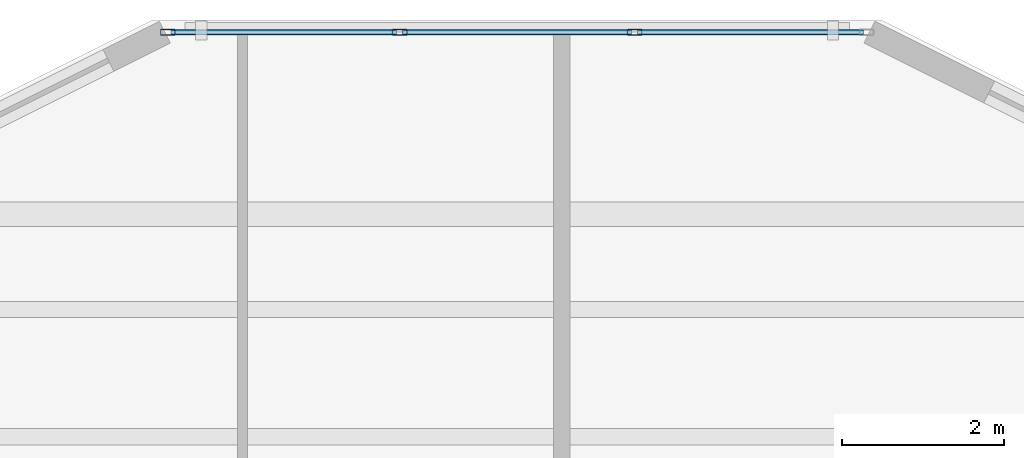
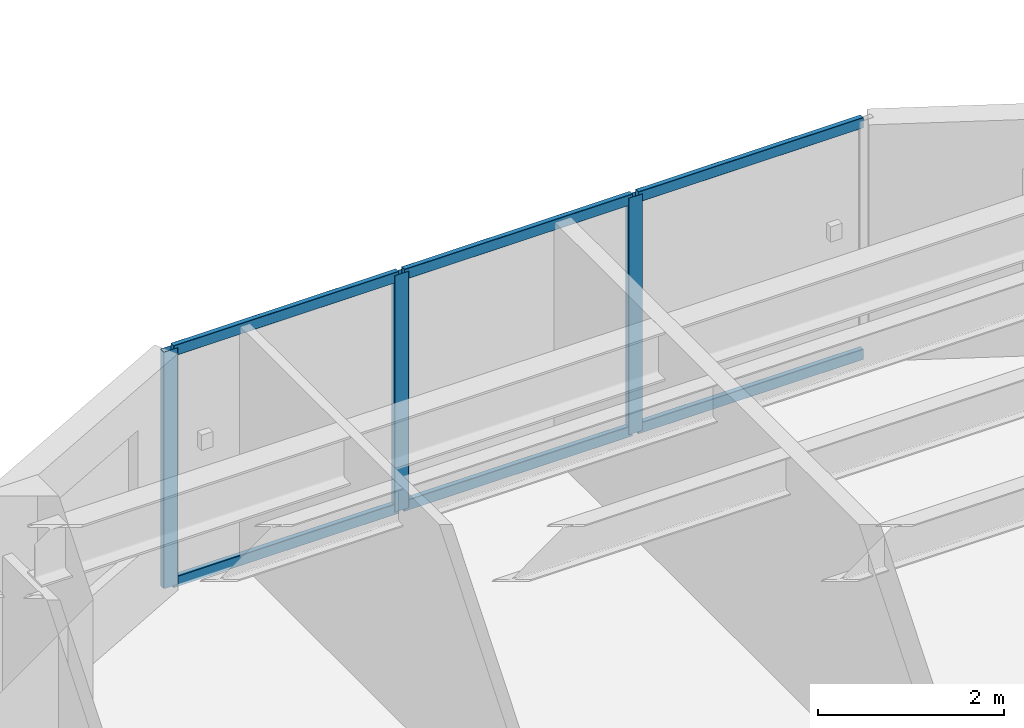
# One storey, part 6 of 20: 9 members, 1 element without a shape of its own.
"""IFC4 building model written with IfcOpenShell, lengths in metres."""

from ifc_helpers import new_model, si_unit, direction, frame, origin, origin_2d, place, context, subcontext, project, spatial, hollow_rectangle, extrude, material, layer, layer_set, material_profile, profile_set, type_object, element, aggregate, save


model = new_model("IFC4")

# Units and contexts
model_context = context("Model", 3, precision=1e-05, world=origin(), true_north=direction((0.0, 1.0)))
body_context = subcontext(model_context, "Body", "Model", "MODEL_VIEW")
ifc_project = project(units=[si_unit("LENGTHUNIT", "METRE"), si_unit("AREAUNIT", "SQUARE_METRE"), si_unit("VOLUMEUNIT", "CUBIC_METRE"), si_unit("PLANEANGLEUNIT", "RADIAN"), si_unit("MASSUNIT", "GRAM", prefix="KILO")], contexts=[model_context])

# Site, building, storey
site_placement = place(None, origin())
site = spatial("IfcSite", under=ifc_project, at=site_placement, CompositionType="ELEMENT")
building_placement = place(site_placement, origin())
building = spatial("IfcBuilding", under=site, at=building_placement, Name="Tarnavaz Court Tower", CompositionType="ELEMENT")
storey_placement = place(building_placement, frame((0.0, 0.0, 30.699951171875)))
storey = spatial("IfcBuildingStorey", under=building, at=storey_placement, Name="L07", CompositionType="ELEMENT", Elevation=30.699951171875)

# Curtain wall, members
ifc_material_1 = material(Name="Anodised Aluminium 6063-T6 and Solar Low-E Glazing", Category="aluminium")
ifc_layer = layer(ifc_material_1, 0.179931640625)
ifc_layer_set = layer_set([ifc_layer], Name="Anodised Aluminium 6063-T6 and Solar Low-E Glazing")
curtain_wall_type = type_object("IfcCurtainWallType", Name="CW-SYS-02", PredefinedType="NOTDEFINED", material=ifc_layer_set)
curtain_wall_placement = place(storey_placement, origin())
curtain_wall = element("IfcCurtainWall", 1, at=curtain_wall_placement, inside=storey, type_object=curtain_wall_type, Name="L07 Iwan Prow Curtain Wall 7", PredefinedType="NOTDEFINED")
ifc_material_2 = material(Name="Anodised Aluminium 6063-T6", Category="aluminium")
ifc_material_profile_1 = material_profile(ifc_material_2, hollow_rectangle(XDim=0.074951171875, YDim=0.179931640625, WallThickness=0.0048828125, InnerFilletRadius=0.0048828125, OuterFilletRadius=0.010009765625, at=origin_2d()), Name="ALU RHS 180X75X5")
ifc_profile_set_1 = profile_set([ifc_material_profile_1], Name="Anodised Aluminium 6063-T6")
member_type_1 = type_object("IfcMemberType", Name="CW-MUL-180", PredefinedType="MULLION", material=ifc_profile_set_1)
member_1_placement = place(storey_placement, frame((-4.3125, 25.050048828125, 0.0), z_axis=(0.0, 0.0, 1.0), x_axis=(0.0, 1.0, 0.0)))
member_1 = element("IfcMember", 2, at=member_1_placement, type_object=member_type_1, Name="CW mullion 1", PredefinedType="MULLION", context=body_context, shape_type="SweptSolid", body=[
    extrude(hollow_rectangle(XDim=0.074951171875, YDim=0.179931640625, WallThickness=0.0048828125, InnerFilletRadius=0.0048828125, OuterFilletRadius=0.010009765625, at=origin_2d()), origin(), (0.0, 0.0, 1.0), 3.10009765625),
])
member_2_placement = place(storey_placement, frame((-1.449951171875, 25.050048828125, 0.0), z_axis=(0.0, 0.0, 1.0), x_axis=(0.0, 1.0, 0.0)))
member_2 = element("IfcMember", 3, at=member_2_placement, type_object=member_type_1, Name="CW mullion 2", PredefinedType="MULLION", context=body_context, shape_type="SweptSolid", body=[
    extrude(hollow_rectangle(XDim=0.074951171875, YDim=0.179931640625, WallThickness=0.0048828125, InnerFilletRadius=0.0048828125, OuterFilletRadius=0.010009765625, at=origin_2d()), origin(), (0.0, 0.0, 1.0), 3.10009765625),
])
member_3_placement = place(storey_placement, frame((1.449951171875, 25.050048828125, 0.0), z_axis=(0.0, 0.0, 1.0), x_axis=(0.0, 1.0, 0.0)))
member_3 = element("IfcMember", 4, at=member_3_placement, type_object=member_type_1, Name="CW mullion 3", PredefinedType="MULLION", context=body_context, shape_type="SweptSolid", body=[
    extrude(hollow_rectangle(XDim=0.074951171875, YDim=0.179931640625, WallThickness=0.0048828125, InnerFilletRadius=0.0048828125, OuterFilletRadius=0.010009765625, at=origin_2d()), origin(), (0.0, 0.0, 1.0), 3.10009765625),
])
ifc_material_profile_2 = material_profile(ifc_material_2, hollow_rectangle(XDim=0.06494140625, YDim=0.139892578125, WallThickness=0.00390625, InnerFilletRadius=0.00390625, OuterFilletRadius=0.008056640625, at=origin_2d()), Name="ALU RHS 140X65X4")
ifc_profile_set_2 = profile_set([ifc_material_profile_2], Name="Anodised Aluminium 6063-T6")
member_type_2 = type_object("IfcMemberType", Name="CW-TRN-140", PredefinedType="USERDEFINED", material=ifc_profile_set_2)
member_4_placement = place(storey_placement, frame((-4.27490234375, 25.050048828125, 0.032470703125), z_axis=(1.0, 0.0, 0.0), x_axis=(0.0, 1.0, 0.0)))
member_4 = element("IfcMember", 5, at=member_4_placement, type_object=member_type_2, Name="CW transom 1.1", ObjectType="TRANSOM", PredefinedType="USERDEFINED", context=body_context, shape_type="SweptSolid", body=[
    extrude(hollow_rectangle(XDim=0.06494140625, YDim=0.139892578125, WallThickness=0.00390625, InnerFilletRadius=0.00390625, OuterFilletRadius=0.008056640625, at=origin_2d()), origin(), (0.0, 0.0, 1.0), 2.787353515625),
])
member_5_placement = place(storey_placement, frame((-4.27490234375, 25.050048828125, 3.067626953125), z_axis=(1.0, 0.0, 0.0), x_axis=(0.0, 1.0, 0.0)))
member_5 = element("IfcMember", 6, at=member_5_placement, type_object=member_type_2, Name="CW transom 1.2", ObjectType="TRANSOM", PredefinedType="USERDEFINED", context=body_context, shape_type="SweptSolid", body=[
    extrude(hollow_rectangle(XDim=0.06494140625, YDim=0.139892578125, WallThickness=0.00390625, InnerFilletRadius=0.00390625, OuterFilletRadius=0.008056640625, at=origin_2d()), origin(), (0.0, 0.0, 1.0), 2.787353515625),
])
member_6_placement = place(storey_placement, frame((-1.41259765625, 25.050048828125, 0.032470703125), z_axis=(1.0, 0.0, 0.0), x_axis=(0.0, 1.0, 0.0)))
member_6 = element("IfcMember", 7, at=member_6_placement, type_object=member_type_2, Name="CW transom 2.1", ObjectType="TRANSOM", PredefinedType="USERDEFINED", context=body_context, shape_type="SweptSolid", body=[
    extrude(hollow_rectangle(XDim=0.06494140625, YDim=0.139892578125, WallThickness=0.00390625, InnerFilletRadius=0.00390625, OuterFilletRadius=0.008056640625, at=origin_2d()), origin(), (0.0, 0.0, 1.0), 2.8251953125),
])
member_7_placement = place(storey_placement, frame((-1.41259765625, 25.050048828125, 3.067626953125), z_axis=(1.0, 0.0, 0.0), x_axis=(0.0, 1.0, 0.0)))
member_7 = element("IfcMember", 8, at=member_7_placement, type_object=member_type_2, Name="CW transom 2.2", ObjectType="TRANSOM", PredefinedType="USERDEFINED", context=body_context, shape_type="SweptSolid", body=[
    extrude(hollow_rectangle(XDim=0.06494140625, YDim=0.139892578125, WallThickness=0.00390625, InnerFilletRadius=0.00390625, OuterFilletRadius=0.008056640625, at=origin_2d()), origin(), (0.0, 0.0, 1.0), 2.8251953125),
])
member_8_placement = place(storey_placement, frame((1.487548828125, 25.050048828125, 0.032470703125), z_axis=(1.0, 0.0, 0.0), x_axis=(0.0, 1.0, 0.0)))
member_8 = element("IfcMember", 9, at=member_8_placement, type_object=member_type_2, Name="CW transom 3.1", ObjectType="TRANSOM", PredefinedType="USERDEFINED", context=body_context, shape_type="SweptSolid", body=[
    extrude(hollow_rectangle(XDim=0.06494140625, YDim=0.139892578125, WallThickness=0.00390625, InnerFilletRadius=0.00390625, OuterFilletRadius=0.008056640625, at=origin_2d()), origin(), (0.0, 0.0, 1.0), 2.787353515625),
])
member_9_placement = place(storey_placement, frame((1.487548828125, 25.050048828125, 3.067626953125), z_axis=(1.0, 0.0, 0.0), x_axis=(0.0, 1.0, 0.0)))
member_9 = element("IfcMember", 10, at=member_9_placement, type_object=member_type_2, Name="CW transom 3.2", ObjectType="TRANSOM", PredefinedType="USERDEFINED", context=body_context, shape_type="SweptSolid", body=[
    extrude(hollow_rectangle(XDim=0.06494140625, YDim=0.139892578125, WallThickness=0.00390625, InnerFilletRadius=0.00390625, OuterFilletRadius=0.008056640625, at=origin_2d()), origin(), (0.0, 0.0, 1.0), 2.787353515625),
])
aggregate(curtain_wall, [member_1, member_2, member_3, member_4, member_5, member_6, member_7, member_8, member_9])

save(model, "model.ifc")
